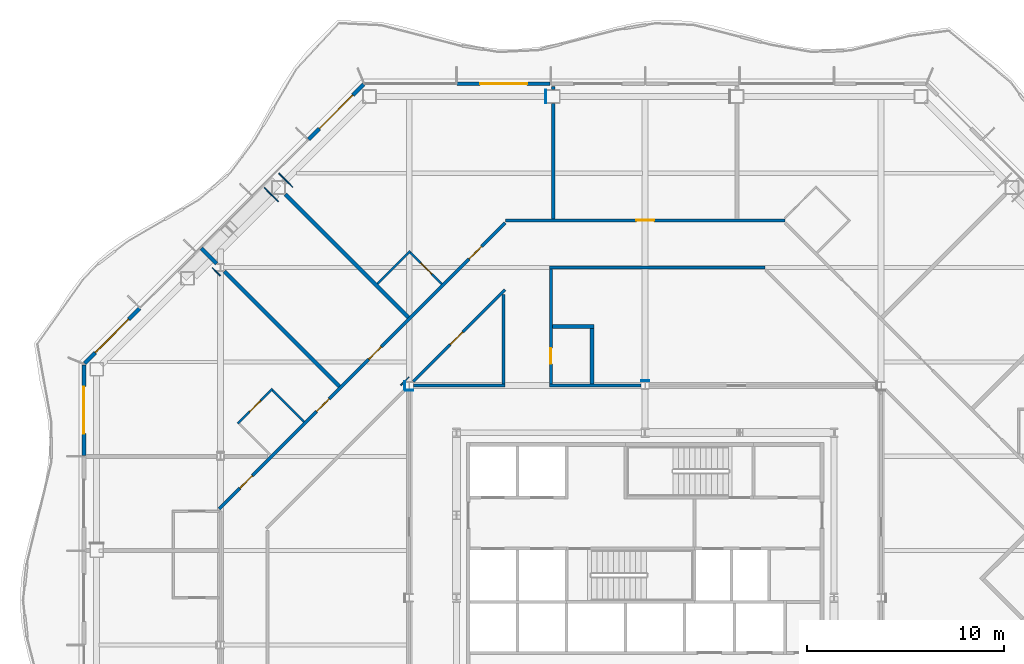
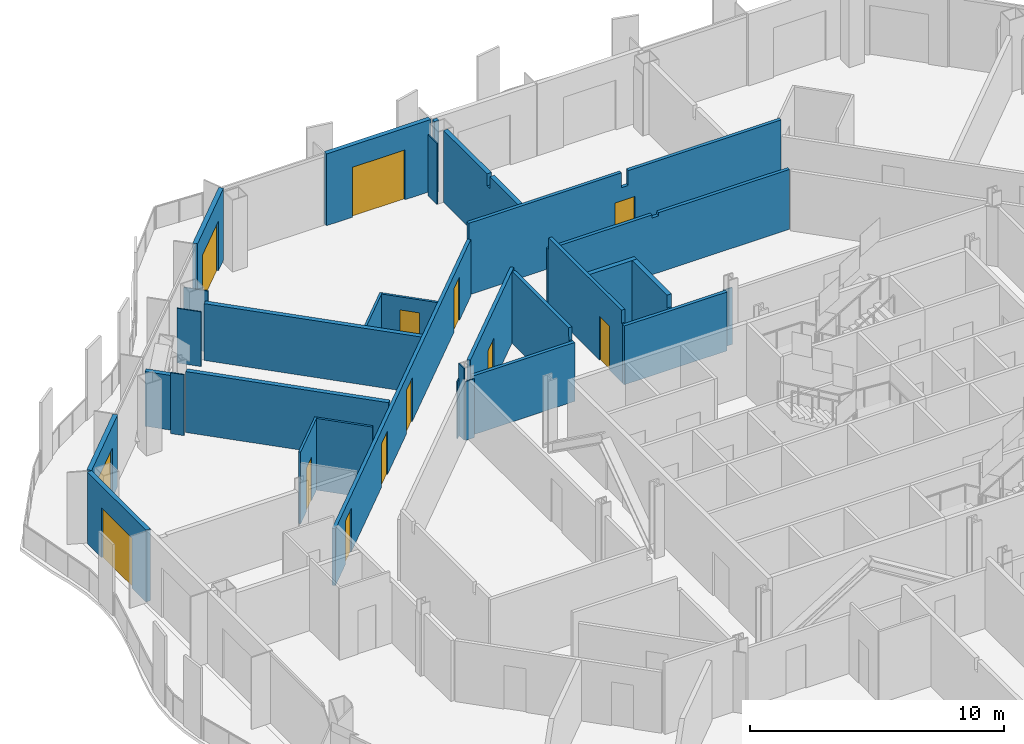
# One storey, part 12 of 21: 31 walls, 13 doors, 13 openings.
"""IFC4 building model written with IfcOpenShell, lengths in metres."""

from ifc_helpers import new_model, si_unit, direction, frame, frame_2d, origin, place, context, subcontext, project, spatial, polyline, rectangle, outline, extrude, material, layer, layer_set, type_object, element, fill, save


model = new_model("IFC4")

# Units and contexts
model_context = context("Model", 3, precision=1e-05, world=origin(), true_north=direction((0.0, 1.0)))
body_context = subcontext(model_context, "Body", "Model", "MODEL_VIEW")
ifc_project = project(units=[si_unit("LENGTHUNIT", "METRE"), si_unit("AREAUNIT", "SQUARE_METRE"), si_unit("VOLUMEUNIT", "CUBIC_METRE"), si_unit("PLANEANGLEUNIT", "RADIAN"), si_unit("MASSUNIT", "GRAM", prefix="KILO")], contexts=[model_context])

# Site, building, storey
site_placement = place(None, origin())
site = spatial("IfcSite", under=ifc_project, at=site_placement, CompositionType="ELEMENT")
building_placement = place(site_placement, origin())
building = spatial("IfcBuilding", under=site, at=building_placement, Name="Cairn Pilgrim Tower", CompositionType="ELEMENT")
storey_placement = place(building_placement, frame((0.0, 0.0, 129.0)))
storey = spatial("IfcBuildingStorey", under=building, at=storey_placement, Name="L31", CompositionType="ELEMENT", Elevation=129.0)

# Wall, opening, door
ifc_material_1 = material(Name="Bronze anodised aluminium insulated sandwich panel with mineral wool fill", Category="aluminium")
ifc_layer_1 = layer(ifc_material_1, 0.199951171875)
ifc_layer_set_1 = layer_set([ifc_layer_1], Name="BRONZE INFILL FRAME WALL 200")
wall_type_1 = type_object("IfcWallType", Name="BRONZE INFILL FRAME WALL 200", PredefinedType="NOTDEFINED", material=ifc_layer_set_1)
wall_1_placement = place(storey_placement, frame((2.3701171875, 28.550048828125, 0.0), z_axis=(0.0, 0.0, 1.0), x_axis=(-1.0, 0.0, 0.0)))
wall_1 = element("IfcWall", 1, at=wall_1_placement, inside=storey, type_object=wall_type_1, Name="Bronze infill frame wall IW-N5", PredefinedType="NOTDEFINED", context=body_context, shape_type="SweptSolid", body=[
    extrude(rectangle(XDim=4.740234375, YDim=0.199951171875, at=frame_2d((2.3701171875, 0.0))), origin(), (0.0, 0.0, 1.0), 3.449951171875),
])
opening_1_placement = place(wall_1_placement, frame((1.169677734375, 0.0, 0.0)))
opening_1 = element("IfcOpeningElement", 2, at=opening_1_placement, cuts=wall_1, Name="Opening 3110B", PredefinedType="OPENING", context=body_context, shape_type="SweptSolid", body=[
    extrude(rectangle(XDim=2.39990234375, YDim=2.39990234375, at=frame_2d((1.199951171875, 1.199951171875))), frame((0.0, 0.10986328125, 0.0), z_axis=(0.0, -1.0, 0.0), x_axis=(1.0, 0.0, 0.0)), (0.0, 0.0, 1.0), 0.219970703125),
])
ifc_material_2 = material(Name="Bronze anodised aluminium frame with tinted low-E glass", Category="aluminium")
door_type_1 = type_object("IfcDoorType", Name="BALCONY SLIDING DOOR 2400x2400", OperationType="DOUBLE_DOOR_SLIDING", PredefinedType="DOOR", material=ifc_material_2)
door_1_placement = place(opening_1_placement, origin())
door_1 = element("IfcDoor", 3, at=door_1_placement, inside=storey, type_object=door_type_1, Name="Balcony sliding door 3110B", OperationType="SINGLE_SWING_LEFT", OverallHeight=2.39990234375, OverallWidth=2.39990234375, PredefinedType="DOOR", context=body_context, shape_type="SweptSolid", body=[
    extrude(rectangle(XDim=2.39990234375, YDim=2.39990234375, at=frame_2d((1.199951171875, 1.199951171875))), frame((0.0, 0.02490234375, 0.0), z_axis=(0.0, -1.0, 0.0), x_axis=(1.0, 0.0, 0.0)), (0.0, 0.0, 1.0), 0.050048828125),
])
fill(opening_1, door_1)

wall_2_placement = place(storey_placement, frame((-7.124755859375, 28.521728515625, 0.0), z_axis=(0.0, 0.0, 1.0), x_axis=(-0.707106781187, -0.707106781187, 0.0)))
wall_2 = element("IfcWall", 4, at=wall_2_placement, inside=storey, type_object=wall_type_1, Name="Bronze infill frame wall IW-NW1", PredefinedType="NOTDEFINED", context=body_context, shape_type="SweptSolid", body=[
    extrude(rectangle(XDim=3.961669921875, YDim=0.199951171875, at=frame_2d((1.98095703125, 0.0))), origin(), (0.0, 0.0, 1.0), 3.449951171875),
])
opening_2_placement = place(wall_2_placement, frame((0.775390625, 0.0, 0.0)))
opening_2 = element("IfcOpeningElement", 5, at=opening_2_placement, cuts=wall_2, Name="Opening 3110B2", PredefinedType="OPENING", context=body_context, shape_type="SweptSolid", body=[
    extrude(rectangle(XDim=2.39990234375, YDim=2.39990234375, at=frame_2d((1.199951171875, 1.199951171875))), frame((0.0, 0.10986328125, 0.0), z_axis=(0.0, -1.0, 0.0), x_axis=(1.0, 0.0, 0.0)), (0.0, 0.0, 1.0), 0.219970703125),
])
door_2_placement = place(opening_2_placement, origin())
door_2 = element("IfcDoor", 6, at=door_2_placement, inside=storey, type_object=door_type_1, Name="Balcony sliding door 3110B2", OperationType="SINGLE_SWING_LEFT", OverallHeight=2.39990234375, OverallWidth=2.39990234375, PredefinedType="DOOR", context=body_context, shape_type="SweptSolid", body=[
    extrude(rectangle(XDim=2.39990234375, YDim=2.39990234375, at=frame_2d((1.199951171875, 1.199951171875))), frame((0.0, 0.02490234375, 0.0), z_axis=(0.0, -1.0, 0.0), x_axis=(1.0, 0.0, 0.0)), (0.0, 0.0, 1.0), 0.050048828125),
])
fill(opening_2, door_2)

wall_3_placement = place(storey_placement, frame((-18.5205078125, 17.1259765625, 0.0), z_axis=(0.0, 0.0, 1.0), x_axis=(-0.707106781187, -0.707106781187, 0.0)))
wall_3 = element("IfcWall", 7, at=wall_3_placement, inside=storey, type_object=wall_type_1, Name="Bronze infill frame wall IW-NW5", PredefinedType="NOTDEFINED", context=body_context, shape_type="SweptSolid", body=[
    extrude(rectangle(XDim=3.961669921875, YDim=0.199951171875, at=frame_2d((1.98095703125, 0.0))), origin(), (0.0, 0.0, 1.0), 3.449951171875),
])
opening_3_placement = place(wall_3_placement, frame((0.785888671875, 0.0, 0.0)))
opening_3 = element("IfcOpeningElement", 8, at=opening_3_placement, cuts=wall_3, Name="Opening 3112B2", PredefinedType="OPENING", context=body_context, shape_type="SweptSolid", body=[
    extrude(rectangle(XDim=2.39990234375, YDim=2.39990234375, at=frame_2d((1.199951171875, 1.199951171875))), frame((0.0, 0.10986328125, 0.0), z_axis=(0.0, -1.0, 0.0), x_axis=(1.0, 0.0, 0.0)), (0.0, 0.0, 1.0), 0.219970703125),
])
door_3_placement = place(opening_3_placement, origin())
door_3 = element("IfcDoor", 9, at=door_3_placement, inside=storey, type_object=door_type_1, Name="Balcony sliding door 3112B2", OperationType="SINGLE_SWING_LEFT", OverallHeight=2.39990234375, OverallWidth=2.39990234375, PredefinedType="DOOR", context=body_context, shape_type="SweptSolid", body=[
    extrude(rectangle(XDim=2.39990234375, YDim=2.39990234375, at=frame_2d((1.199951171875, 1.199951171875))), frame((0.0, 0.02490234375, 0.0), z_axis=(0.0, -1.0, 0.0), x_axis=(1.0, 0.0, 0.0)), (0.0, 0.0, 1.0), 0.050048828125),
])
fill(opening_3, door_3)

wall_4_placement = place(storey_placement, frame((-21.35009765625, 14.25634765625, 0.0), z_axis=(0.0, 0.0, 1.0), x_axis=(0.0, -1.0, 0.0)))
wall_4 = element("IfcWall", 10, at=wall_4_placement, inside=storey, type_object=wall_type_1, Name="Bronze infill frame wall IW-W1", PredefinedType="NOTDEFINED", context=body_context, shape_type="SweptSolid", body=[
    extrude(rectangle(XDim=4.62646484375, YDim=0.199951171875, at=frame_2d((2.313232421875, 0.0))), origin(), (0.0, 0.0, 1.0), 3.449951171875),
])
opening_4_placement = place(wall_4_placement, frame((1.1083984375, 0.0, 0.0)))
opening_4 = element("IfcOpeningElement", 11, at=opening_4_placement, cuts=wall_4, Name="Opening 3112B", PredefinedType="OPENING", context=body_context, shape_type="SweptSolid", body=[
    extrude(rectangle(XDim=2.39990234375, YDim=2.39990234375, at=frame_2d((1.199951171875, 1.199951171875))), frame((0.0, 0.10986328125, 0.0), z_axis=(0.0, -1.0, 0.0), x_axis=(1.0, 0.0, 0.0)), (0.0, 0.0, 1.0), 0.219970703125),
])
door_4_placement = place(opening_4_placement, origin())
door_4 = element("IfcDoor", 12, at=door_4_placement, inside=storey, type_object=door_type_1, Name="Balcony sliding door 3112B", OperationType="SINGLE_SWING_LEFT", OverallHeight=2.39990234375, OverallWidth=2.39990234375, PredefinedType="DOOR", context=body_context, shape_type="SweptSolid", body=[
    extrude(rectangle(XDim=2.39990234375, YDim=2.39990234375, at=frame_2d((1.199951171875, 1.199951171875))), frame((0.0, 0.02490234375, 0.0), z_axis=(0.0, -1.0, 0.0), x_axis=(1.0, 0.0, 0.0)), (0.0, 0.0, 1.0), 0.050048828125),
])
fill(opening_4, door_4)

ifc_material_3 = material(Name="Gypsum partition")
ifc_layer_2 = layer(ifc_material_3, 0.10009765625)
ifc_layer_set_2 = layer_set([ifc_layer_2], Name="PARTITION 100 DRYWALL")
wall_type_2 = type_object("IfcWallType", Name="PARTITION 100 DRYWALL", PredefinedType="PARTITIONING", material=ifc_layer_set_2)
wall_5_placement = place(storey_placement, frame((-13.5263671875, 11.26171875, 0.0), z_axis=(0.0, 0.0, 1.0), x_axis=(0.707106781187, 0.707106781187, 0.0)))
wall_5 = element("IfcWall", 13, at=wall_5_placement, inside=storey, type_object=wall_type_2, Name="PARTITION W069", PredefinedType="PARTITIONING", context=body_context, shape_type="SweptSolid", body=[
    extrude(rectangle(XDim=2.499755859375, YDim=0.10009765625, at=frame_2d((1.25, 0.0))), origin(), (0.0, 0.0, 1.0), 3.449951171875),
])
opening_5_placement = place(wall_5_placement, frame((0.849853515625, 0.0, 0.0)))
opening_5 = element("IfcOpeningElement", 14, at=opening_5_placement, cuts=wall_5, Name="Opening 3112A", PredefinedType="OPENING", context=body_context, shape_type="SweptSolid", body=[
    extrude(rectangle(XDim=0.800048828125, YDim=2.10009765625, at=frame_2d((0.39990234375, 1.050048828125))), frame((0.0, 0.06005859375, 0.0), z_axis=(0.0, -1.0, 0.0), x_axis=(1.0, 0.0, 0.0)), (0.0, 0.0, 1.0), 0.1201171875),
])
ifc_material_4 = material(Name="Timber door leaf", Category="wood")
door_type_2 = type_object("IfcDoorType", Name="WC DOOR 800x2100", OperationType="NOTDEFINED", PredefinedType="DOOR", material=ifc_material_4)
door_5_placement = place(opening_5_placement, origin())
door_5 = element("IfcDoor", 15, at=door_5_placement, inside=storey, type_object=door_type_2, Name="DOOR 3112A", OperationType="SINGLE_SWING_RIGHT", OverallHeight=2.10009765625, OverallWidth=0.800048828125, PredefinedType="DOOR", context=body_context, shape_type="SweptSolid", body=[
    extrude(rectangle(XDim=0.800048828125, YDim=2.10009765625, at=frame_2d((0.39990234375, 1.050048828125))), frame((0.0, 0.02490234375, 0.0), z_axis=(0.0, -1.0, 0.0), x_axis=(1.0, 0.0, 0.0)), (0.0, 0.0, 1.0), 0.050048828125),
])
fill(opening_5, door_5)

# Walls
wall_6_placement = place(storey_placement, frame((-10.14990234375, 11.35009765625, 0.0), z_axis=(0.0, 0.0, 1.0), x_axis=(-0.707160441348, 0.707053116953, 0.0)))
element("IfcWall", 16, at=wall_6_placement, inside=storey, type_object=wall_type_2, Name="PARTITION W070", PredefinedType="PARTITIONING", context=body_context, shape_type="SweptSolid", body=[
    extrude(rectangle(XDim=2.27490234375, YDim=0.10009765625, at=frame_2d((1.137451171875, 0.0))), origin(), (0.0, 0.0, 1.0), 3.449951171875),
])
wall_7_placement = place(storey_placement, frame((-6.411376953125, 18.376708984375, 0.0), z_axis=(0.0, 0.0, 1.0), x_axis=(0.707106781187, 0.707106781187, 0.0)))
element("IfcWall", 17, at=wall_7_placement, inside=storey, type_object=wall_type_2, Name="PARTITION W085", PredefinedType="PARTITIONING", context=body_context, shape_type="SweptSolid", body=[
    extrude(rectangle(XDim=2.349853515625, YDim=0.10009765625, at=frame_2d((1.1748046875, 0.0))), origin(), (0.0, 0.0, 1.0), 2.72998046875),
])

# Wall, opening, door
wall_8_placement = place(storey_placement, frame((-3.14111328125, 18.35888671875, 0.0), z_axis=(0.0, 0.0, 1.0), x_axis=(-0.707053116953, 0.707160441348, 0.0)))
wall_8 = element("IfcWall", 18, at=wall_8_placement, inside=storey, type_object=wall_type_2, Name="PARTITION W086", PredefinedType="PARTITIONING", context=body_context, shape_type="SweptSolid", body=[
    extrude(rectangle(XDim=2.27490234375, YDim=0.10009765625, at=frame_2d((1.137451171875, 0.0))), origin(), (0.0, 0.0, 1.0), 2.72998046875),
])
opening_6_placement = place(wall_8_placement, frame((0.72509765625, 0.0, 0.0)))
opening_6 = element("IfcOpeningElement", 19, at=opening_6_placement, cuts=wall_8, Name="Opening 3110A", PredefinedType="OPENING", context=body_context, shape_type="SweptSolid", body=[
    extrude(rectangle(XDim=0.800048828125, YDim=2.10009765625, at=frame_2d((0.39990234375, 1.050048828125))), frame((0.0, 0.06005859375, 0.0), z_axis=(0.0, -1.0, 0.0), x_axis=(1.0, 0.0, 0.0)), (0.0, 0.0, 1.0), 0.1201171875),
])
door_6_placement = place(opening_6_placement, frame((0.800048828125, 0.0, 0.0), z_axis=(0.0, 0.0, 1.0), x_axis=(-1.0, 0.0, 0.0)))
door_6 = element("IfcDoor", 20, at=door_6_placement, inside=storey, type_object=door_type_2, Name="DOOR 3110A", OperationType="SINGLE_SWING_RIGHT", OverallHeight=2.10009765625, OverallWidth=0.800048828125, PredefinedType="DOOR", context=body_context, shape_type="SweptSolid", body=[
    extrude(rectangle(XDim=0.800048828125, YDim=2.10009765625, at=frame_2d((0.39990234375, 1.050048828125))), frame((0.0, 0.02490234375, 0.0), z_axis=(0.0, -1.0, 0.0), x_axis=(1.0, 0.0, 0.0)), (0.0, 0.0, 1.0), 0.050048828125),
])
fill(opening_6, door_6)

# Wall, openings, doors
ifc_layer_3 = layer(ifc_material_3, 0.14990234375)
ifc_layer_set_3 = layer_set([ifc_layer_3], Name="PARTITION 150 DRYWALL EI 60")
wall_type_3 = type_object("IfcWallType", Name="PARTITION 150 DRYWALL EI 60", PredefinedType="PARTITIONING", material=ifc_layer_set_3)
wall_9_placement = place(storey_placement, frame((-14.47509765625, 6.9189453125, 0.0), z_axis=(0.0, 0.0, 1.0), x_axis=(0.707106781187, 0.707106781187, 0.0)))
wall_9 = element("IfcWall", 21, at=wall_9_placement, inside=storey, type_object=wall_type_3, Name="PARTITION W061", PredefinedType="PARTITIONING", context=body_context, shape_type="SweptSolid", body=[
    extrude(rectangle(XDim=20.5810546875, YDim=0.14990234375, at=frame_2d((10.29052734375, 0.0))), origin(), (0.0, 0.0, 1.0), 2.72998046875),
])
opening_7_placement = place(wall_9_placement, frame((17.982666015625, 0.0, 0.0)))
opening_7 = element("IfcOpeningElement", 22, at=opening_7_placement, cuts=wall_9, Name="Opening 3110", PredefinedType="OPENING", context=body_context, shape_type="SweptSolid", body=[
    extrude(rectangle(XDim=0.89990234375, YDim=2.10009765625, at=frame_2d((0.449951171875, 1.050048828125))), frame((0.0, 0.0849609375, 0.0), z_axis=(0.0, -1.0, 0.0), x_axis=(1.0, 0.0, 0.0)), (0.0, 0.0, 1.0), 0.169921875),
])
opening_8_placement = place(wall_9_placement, frame((10.77001953125, 0.0, 0.0)))
opening_8 = element("IfcOpeningElement", 23, at=opening_8_placement, cuts=wall_9, Name="Opening 3111", PredefinedType="OPENING", context=body_context, shape_type="SweptSolid", body=[
    extrude(rectangle(XDim=0.89990234375, YDim=2.10009765625, at=frame_2d((0.449951171875, 1.050048828125))), frame((0.0, 0.0849609375, 0.0), z_axis=(0.0, -1.0, 0.0), x_axis=(1.0, 0.0, 0.0)), (0.0, 0.0, 1.0), 0.169921875),
])
opening_9_placement = place(wall_9_placement, frame((7.014404296875, 0.0, 0.0)))
opening_9 = element("IfcOpeningElement", 24, at=opening_9_placement, cuts=wall_9, Name="Opening 3112", PredefinedType="OPENING", context=body_context, shape_type="SweptSolid", body=[
    extrude(rectangle(XDim=0.89990234375, YDim=2.10009765625, at=frame_2d((0.449951171875, 1.050048828125))), frame((0.0, 0.0849609375, 0.0), z_axis=(0.0, -1.0, 0.0), x_axis=(1.0, 0.0, 0.0)), (0.0, 0.0, 1.0), 0.169921875),
])
opening_10_placement = place(wall_9_placement, frame((1.4990234375, 0.0, 0.0)))
opening_10 = element("IfcOpeningElement", 25, at=opening_10_placement, cuts=wall_9, Name="Opening 3113", PredefinedType="OPENING", context=body_context, shape_type="SweptSolid", body=[
    extrude(rectangle(XDim=0.89990234375, YDim=2.10009765625, at=frame_2d((0.449951171875, 1.050048828125))), frame((0.0, 0.0849609375, 0.0), z_axis=(0.0, -1.0, 0.0), x_axis=(1.0, 0.0, 0.0)), (0.0, 0.0, 1.0), 0.169921875),
])
door_type_3 = type_object("IfcDoorType", Name="ROOM DOOR 900x2100 FD30S", OperationType="NOTDEFINED", PredefinedType="DOOR", material=ifc_material_4)
door_7_placement = place(opening_7_placement, origin())
door_7 = element("IfcDoor", 26, at=door_7_placement, inside=storey, type_object=door_type_3, Name="DOOR 3110", OperationType="SINGLE_SWING_RIGHT", OverallHeight=2.10009765625, OverallWidth=0.89990234375, PredefinedType="DOOR", context=body_context, shape_type="SweptSolid", body=[
    extrude(rectangle(XDim=0.89990234375, YDim=2.10009765625, at=frame_2d((0.449951171875, 1.050048828125))), frame((0.0, 0.02490234375, 0.0), z_axis=(0.0, -1.0, 0.0), x_axis=(1.0, 0.0, 0.0)), (0.0, 0.0, 1.0), 0.050048828125),
])
fill(opening_7, door_7)
door_8_placement = place(opening_9_placement, origin())
door_8 = element("IfcDoor", 27, at=door_8_placement, inside=storey, type_object=door_type_3, Name="DOOR 3112", OperationType="SINGLE_SWING_RIGHT", OverallHeight=2.10009765625, OverallWidth=0.89990234375, PredefinedType="DOOR", context=body_context, shape_type="SweptSolid", body=[
    extrude(rectangle(XDim=0.89990234375, YDim=2.10009765625, at=frame_2d((0.449951171875, 1.050048828125))), frame((0.0, 0.02490234375, 0.0), z_axis=(0.0, -1.0, 0.0), x_axis=(1.0, 0.0, 0.0)), (0.0, 0.0, 1.0), 0.050048828125),
])
fill(opening_9, door_8)
door_9_placement = place(opening_10_placement, origin())
door_9 = element("IfcDoor", 28, at=door_9_placement, inside=storey, type_object=door_type_3, Name="DOOR 3113", OperationType="SINGLE_SWING_RIGHT", OverallHeight=2.10009765625, OverallWidth=0.89990234375, PredefinedType="DOOR", context=body_context, shape_type="SweptSolid", body=[
    extrude(rectangle(XDim=0.89990234375, YDim=2.10009765625, at=frame_2d((0.449951171875, 1.050048828125))), frame((0.0, 0.02490234375, 0.0), z_axis=(0.0, -1.0, 0.0), x_axis=(1.0, 0.0, 0.0)), (0.0, 0.0, 1.0), 0.050048828125),
])
fill(opening_10, door_9)
door_type_4 = type_object("IfcDoorType", Name="SERVICE DOOR 900x2100 FD30S", OperationType="NOTDEFINED", PredefinedType="DOOR", material=ifc_material_4)
door_10_placement = place(opening_8_placement, origin())
door_10 = element("IfcDoor", 29, at=door_10_placement, inside=storey, type_object=door_type_4, Name="DOOR 3111", OperationType="SINGLE_SWING_RIGHT", OverallHeight=2.10009765625, OverallWidth=0.89990234375, PredefinedType="DOOR", context=body_context, shape_type="SweptSolid", body=[
    extrude(rectangle(XDim=0.89990234375, YDim=2.10009765625, at=frame_2d((0.449951171875, 1.050048828125))), frame((0.0, 0.02490234375, 0.0), z_axis=(0.0, -1.0, 0.0), x_axis=(1.0, 0.0, 0.0)), (0.0, 0.0, 1.0), 0.050048828125),
])
fill(opening_8, door_10)

# Walls
wall_10_placement = place(storey_placement, frame((-4.595458984375, 13.199951171875, 0.0), z_axis=(0.0, 0.0, 1.0), x_axis=(1.0, 0.0, 0.0)))
element("IfcWall", 30, at=wall_10_placement, inside=storey, type_object=wall_type_3, Name="PARTITION W074", PredefinedType="PARTITIONING", context=body_context, shape_type="SweptSolid", body=[
    extrude(rectangle(XDim=4.67041015625, YDim=0.14990234375, at=frame_2d((2.335205078125, 0.0))), origin(), (0.0, 0.0, 1.0), 2.830078125),
])
wall_11_placement = place(storey_placement, frame((2.324951171875, 13.199951171875, 0.0), z_axis=(0.0, 0.0, 1.0), x_axis=(1.0, 0.0, 0.0)))
element("IfcWall", 31, at=wall_11_placement, inside=storey, type_object=wall_type_3, Name="PARTITION W075", PredefinedType="PARTITIONING", context=body_context, shape_type="SweptSolid", body=[
    extrude(rectangle(XDim=4.670654296875, YDim=0.14990234375, at=frame_2d((2.33544921875, 0.0))), origin(), (0.0, 0.0, 1.0), 2.830078125),
])
wall_12_placement = place(storey_placement, frame((0.0, 13.27490234375, 0.0), z_axis=(0.0, 0.0, 1.0), x_axis=(0.0, 1.0, 0.0)))
element("IfcWall", 32, at=wall_12_placement, inside=storey, type_object=wall_type_3, Name="PARTITION W077", PredefinedType="PARTITIONING", context=body_context, shape_type="SweptSolid", body=[
    extrude(outline(polyline([(0.0, 0.0), (4.5439453125, 0.0), (4.5439453125, 3.449951171875), (0.074951171875, 3.449951171875), (0.072998046875, 2.830078125), (0.0, 2.830078125), (0.0, 0.0)])), frame((0.0, 0.074951171875, 0.0), z_axis=(0.0, -1.0, 0.0), x_axis=(1.0, 0.0, 0.0)), (0.0, 0.0, 1.0), 0.14990234375),
])

# Wall, opening, door
wall_13_placement = place(storey_placement, frame((2.39990234375, 13.27490234375, 0.0), z_axis=(0.0, 0.0, 1.0), x_axis=(0.0, 1.0, 0.0)))
wall_13 = element("IfcWall", 33, at=wall_13_placement, inside=storey, type_object=wall_type_3, Name="PARTITION W078", PredefinedType="PARTITIONING", context=body_context, shape_type="SweptSolid", body=[
    extrude(outline(polyline([(0.0, 0.0), (5.85009765625, 0.0), (5.85009765625, 2.8798828125), (5.820068359375, 2.8798828125), (5.818115234375, 3.449951171875), (0.074951171875, 3.449951171875), (0.072998046875, 2.830078125), (0.0, 2.830078125), (0.0, 0.0)])), frame((0.0, 0.074951171875, 0.0), z_axis=(0.0, -1.0, 0.0), x_axis=(1.0, 0.0, 0.0)), (0.0, 0.0, 1.0), 0.14990234375),
])
opening_11_placement = place(wall_13_placement, frame((1.02490234375, 0.0, 0.0)))
opening_11 = element("IfcOpeningElement", 34, at=opening_11_placement, cuts=wall_13, Name="Opening 3119", PredefinedType="OPENING", context=body_context, shape_type="SweptSolid", body=[
    extrude(rectangle(XDim=0.800048828125, YDim=2.10009765625, at=frame_2d((0.39990234375, 1.050048828125))), frame((0.0, 0.0849609375, 0.0), z_axis=(0.0, -1.0, 0.0), x_axis=(1.0, 0.0, 0.0)), (0.0, 0.0, 1.0), 0.169921875),
])
door_type_5 = type_object("IfcDoorType", Name="WC DOOR 800x2100 FD30S", OperationType="NOTDEFINED", PredefinedType="DOOR", material=ifc_material_4)
door_11_placement = place(opening_11_placement, frame((0.800048828125, 0.0, 0.0), z_axis=(0.0, 0.0, 1.0), x_axis=(-1.0, 0.0, 0.0)))
door_11 = element("IfcDoor", 35, at=door_11_placement, inside=storey, type_object=door_type_5, Name="DOOR 3119", OperationType="SINGLE_SWING_RIGHT", OverallHeight=2.10009765625, OverallWidth=0.800048828125, PredefinedType="DOOR", context=body_context, shape_type="SweptSolid", body=[
    extrude(rectangle(XDim=0.800048828125, YDim=2.10009765625, at=frame_2d((0.39990234375, 1.050048828125))), frame((0.0, 0.02490234375, 0.0), z_axis=(0.0, -1.0, 0.0), x_axis=(1.0, 0.0, 0.0)), (0.0, 0.0, 1.0), 0.050048828125),
])
fill(opening_11, door_11)

wall_14_placement = place(storey_placement, frame((-4.591552734375, 13.408447265625, 0.0), z_axis=(0.0, 0.0, 1.0), x_axis=(0.707106781187, 0.707106781187, 0.0)))
wall_14 = element("IfcWall", 36, at=wall_14_placement, inside=storey, type_object=wall_type_3, Name="PARTITION W080", PredefinedType="PARTITIONING", context=body_context, shape_type="SweptSolid", body=[
    extrude(rectangle(XDim=6.599365234375, YDim=0.14990234375, at=frame_2d((3.2998046875, 0.0))), origin(), (0.0, 0.0, 1.0), 3.449951171875),
])
opening_12_placement = place(wall_14_placement, frame((2.6494140625, 0.0, 0.0)))
opening_12 = element("IfcOpeningElement", 37, at=opening_12_placement, cuts=wall_14, Name="Opening 3123", PredefinedType="OPENING", context=body_context, shape_type="SweptSolid", body=[
    extrude(rectangle(XDim=0.89990234375, YDim=2.10009765625, at=frame_2d((0.449951171875, 1.050048828125))), frame((0.0, 0.0849609375, 0.0), z_axis=(0.0, -1.0, 0.0), x_axis=(1.0, 0.0, 0.0)), (0.0, 0.0, 1.0), 0.169921875),
])
door_12_placement = place(opening_12_placement, frame((0.89990234375, 0.0, 0.0), z_axis=(0.0, 0.0, 1.0), x_axis=(-1.0, 0.0, 0.0)))
door_12 = element("IfcDoor", 38, at=door_12_placement, inside=storey, type_object=door_type_4, Name="DOOR 3123", OperationType="SINGLE_SWING_LEFT", OverallHeight=2.10009765625, OverallWidth=0.89990234375, PredefinedType="DOOR", context=body_context, shape_type="SweptSolid", body=[
    extrude(rectangle(XDim=0.89990234375, YDim=2.10009765625, at=frame_2d((0.449951171875, 1.050048828125))), frame((0.0, 0.02490234375, 0.0), z_axis=(0.0, -1.0, 0.0), x_axis=(1.0, 0.0, 0.0)), (0.0, 0.0, 1.0), 0.050048828125),
])
fill(opening_12, door_12)

# Wall
wall_15_placement = place(storey_placement, frame((2.324951171875, 19.199951171875, 0.0), z_axis=(0.0, 0.0, 1.0), x_axis=(1.0, 0.0, 0.0)))
element("IfcWall", 39, at=wall_15_placement, inside=storey, type_object=wall_type_3, Name="PARTITION W087", PredefinedType="PARTITIONING", context=body_context, shape_type="SweptSolid", body=[
    extrude(outline(polyline([(0.0, 0.0), (10.981201171875, 0.0), (10.981201171875, 2.8798828125), (5.02490234375, 2.8798828125), (5.02294921875, 2.72998046875), (4.72509765625, 2.72998046875), (4.722900390625, 2.8798828125), (0.0, 2.8798828125), (0.0, 0.0)])), frame((0.0, 0.074951171875, 0.0), z_axis=(0.0, -1.0, 0.0), x_axis=(1.0, 0.0, 0.0)), (0.0, 0.0, 1.0), 0.14990234375),
])

# Wall, opening, door
wall_16_placement = place(storey_placement, frame((0.099853515625, 21.60009765625, 0.0), z_axis=(0.0, 0.0, 1.0), x_axis=(1.0, 0.0, 0.0)))
wall_16 = element("IfcWall", 40, at=wall_16_placement, inside=storey, type_object=wall_type_3, Name="PARTITION W090", PredefinedType="PARTITIONING", context=body_context, shape_type="SweptSolid", body=[
    extrude(outline(polyline([(0.0, 0.0), (14.2001953125, 0.0), (14.2001953125, 3.449951171875), (7.25, 3.449951171875), (7.248046875, 2.72998046875), (6.9501953125, 2.72998046875), (6.947998046875, 3.449951171875), (0.0, 3.449951171875), (0.0, 0.0)])), frame((0.0, 0.074951171875, 0.0), z_axis=(0.0, -1.0, 0.0), x_axis=(1.0, 0.0, 0.0)), (0.0, 0.0, 1.0), 0.14990234375),
])
opening_13_placement = place(wall_16_placement, frame((6.650146484375, 0.0, 0.0)))
opening_13 = element("IfcOpeningElement", 41, at=opening_13_placement, cuts=wall_16, Name="Opening 3109", PredefinedType="OPENING", context=body_context, shape_type="SweptSolid", body=[
    extrude(rectangle(XDim=0.89990234375, YDim=2.10009765625, at=frame_2d((0.449951171875, 1.050048828125))), frame((0.0, 0.0849609375, 0.0), z_axis=(0.0, -1.0, 0.0), x_axis=(1.0, 0.0, 0.0)), (0.0, 0.0, 1.0), 0.169921875),
])
door_13_placement = place(opening_13_placement, origin())
door_13 = element("IfcDoor", 42, at=door_13_placement, inside=storey, type_object=door_type_4, Name="DOOR 3109", OperationType="SINGLE_SWING_LEFT", OverallHeight=2.10009765625, OverallWidth=0.89990234375, PredefinedType="DOOR", context=body_context, shape_type="SweptSolid", body=[
    extrude(rectangle(XDim=0.89990234375, YDim=2.10009765625, at=frame_2d((0.449951171875, 1.050048828125))), frame((0.0, 0.02490234375, 0.0), z_axis=(0.0, -1.0, 0.0), x_axis=(1.0, 0.0, 0.0)), (0.0, 0.0, 1.0), 0.050048828125),
])
fill(opening_13, door_13)

# Walls
ifc_layer_4 = layer(ifc_material_3, 0.050048828125)
ifc_layer_set_4 = layer_set([ifc_layer_4], Name="PARTITION 50 DRYWALL EI 60")
wall_type_4 = type_object("IfcWallType", Name="PARTITION 50 DRYWALL EI 60", PredefinedType="PARTITIONING", material=ifc_layer_set_4)
wall_17_placement = place(storey_placement, frame((-5.029541015625, 12.987548828125, 0.0), z_axis=(0.0, 0.0, 1.0), x_axis=(0.0, 1.0, 0.0)))
element("IfcWall", 43, at=wall_17_placement, inside=storey, type_object=wall_type_4, Name="COLUMN CASING WC20", PredefinedType="PARTITIONING", context=body_context, shape_type="SweptSolid", body=[
    extrude(rectangle(XDim=0.425048828125, YDim=0.050048828125, at=frame_2d((0.21240234375, 0.0))), origin(), (0.0, 0.0, 1.0), 3.449951171875),
])
wall_18_placement = place(storey_placement, frame((-5.234619140625, 13.2177734375, 0.0), z_axis=(0.0, 0.0, 1.0), x_axis=(0.707106781187, 0.707106781187, 0.0)))
element("IfcWall", 44, at=wall_18_placement, inside=storey, type_object=wall_type_4, Name="COLUMN CASING WC27", PredefinedType="PARTITIONING", context=body_context, shape_type="SweptSolid", body=[
    extrude(rectangle(XDim=0.589599609375, YDim=0.050048828125, at=frame_2d((0.294921875, 0.0))), origin(), (0.0, 0.0, 1.0), 2.72998046875),
])
wall_19_placement = place(storey_placement, frame((-14.417724609375, 18.786376953125, 0.0), z_axis=(0.0, 0.0, 1.0), x_axis=(-0.707106781187, 0.707106781187, 0.0)))
element("IfcWall", 45, at=wall_19_placement, inside=storey, type_object=wall_type_4, Name="COLUMN CASING WC32", PredefinedType="PARTITIONING", context=body_context, shape_type="SweptSolid", body=[
    extrude(rectangle(XDim=0.56005859375, YDim=0.050048828125, at=frame_2d((0.280029296875, 0.0))), origin(), (0.0, 0.0, 1.0), 2.929931640625),
])
wall_20_placement = place(storey_placement, frame((-5.00439453125, 12.96240234375, 0.0), z_axis=(0.0, 0.0, 1.0), x_axis=(1.0, 0.0, 0.0)))
element("IfcWall", 46, at=wall_20_placement, inside=storey, type_object=wall_type_4, Name="COLUMN CASING WC33", PredefinedType="PARTITIONING", context=body_context, shape_type="SweptSolid", body=[
    extrude(rectangle(XDim=0.408935546875, YDim=0.050048828125, at=frame_2d((0.20458984375, 0.0))), origin(), (0.0, 0.0, 1.0), 2.830078125),
])
wall_21_placement = place(storey_placement, frame((6.99560546875, 13.4375, 0.0), z_axis=(0.0, 0.0, 1.0), x_axis=(1.0, 0.0, 0.0)))
element("IfcWall", 47, at=wall_21_placement, inside=storey, type_object=wall_type_4, Name="COLUMN CASING WC34", PredefinedType="PARTITIONING", context=body_context, shape_type="SweptSolid", body=[
    extrude(rectangle(XDim=0.408935546875, YDim=0.050048828125, at=frame_2d((0.20458984375, 0.0))), origin(), (0.0, 0.0, 1.0), 2.72998046875),
])
wall_22_placement = place(storey_placement, frame((-11.46923828125, 22.55810546875, 0.0), z_axis=(0.0, 0.0, 1.0), x_axis=(-0.707106781187, 0.707106781187, 0.0)))
element("IfcWall", 48, at=wall_22_placement, inside=storey, type_object=wall_type_4, Name="COLUMN CASING WC36", PredefinedType="PARTITIONING", context=body_context, shape_type="SweptSolid", body=[
    extrude(rectangle(XDim=0.989990234375, YDim=0.050048828125, at=frame_2d((0.4951171875, 0.0))), origin(), (0.0, 0.0, 1.0), 2.6298828125),
])
wall_23_placement = place(storey_placement, frame((-10.73388671875, 23.29345703125, 0.0), z_axis=(0.0, 0.0, 1.0), x_axis=(-0.707106781187, 0.707106781187, 0.0)))
element("IfcWall", 49, at=wall_23_placement, inside=storey, type_object=wall_type_4, Name="COLUMN CASING WC37", PredefinedType="PARTITIONING", context=body_context, shape_type="SweptSolid", body=[
    extrude(rectangle(XDim=0.989990234375, YDim=0.050048828125, at=frame_2d((0.4951171875, 0.0))), origin(), (0.0, 0.0, 1.0), 2.929931640625),
])
wall_24_placement = place(storey_placement, frame((2.1494140625, 27.550048828125, 0.0), z_axis=(0.0, 0.0, 1.0), x_axis=(0.0, 1.0, 0.0)))
element("IfcWall", 50, at=wall_24_placement, inside=storey, type_object=wall_type_4, Name="COLUMN CASING WC40", PredefinedType="PARTITIONING", context=body_context, shape_type="SweptSolid", body=[
    extrude(rectangle(XDim=0.699951171875, YDim=0.050048828125, at=frame_2d((0.35009765625, 0.0))), origin(), (0.0, 0.0, 1.0), 2.929931640625),
])
ifc_layer_5 = layer(ifc_material_3, 0.199951171875)
ifc_layer_set_5 = layer_set([ifc_layer_5], Name="SHAFT WALL 200 GYPSUM EI 60")
wall_type_5 = type_object("IfcWallType", Name="SHAFT WALL 200 GYPSUM EI 60", PredefinedType="PARTITIONING", material=ifc_layer_set_5)
wall_25_placement = place(storey_placement, frame((-8.35009765625, 13.14990234375, 0.0), z_axis=(0.0, 0.0, 1.0), x_axis=(-0.707092030896, 0.707121531169, 0.0)))
element("IfcWall", 51, at=wall_25_placement, inside=storey, type_object=wall_type_5, Name="PARTITION W073", PredefinedType="PARTITIONING", context=body_context, shape_type="SweptSolid", body=[
    extrude(rectangle(XDim=8.27587890625, YDim=0.199951171875, at=frame_2d((4.137939453125, 0.0))), origin(), (0.0, 0.0, 1.0), 2.929931640625),
])
wall_26_placement = place(storey_placement, frame((4.5, 13.27490234375, 0.0), z_axis=(0.0, 0.0, 1.0), x_axis=(0.0, 1.0, 0.0)))
element("IfcWall", 52, at=wall_26_placement, inside=storey, type_object=wall_type_5, Name="PARTITION W079", PredefinedType="PARTITIONING", context=body_context, shape_type="SweptSolid", body=[
    extrude(outline(polyline([(0.0, 0.0), (2.8251953125, 0.0), (2.824951171875, 3.449951171875), (0.074951171875, 3.449951171875), (0.072998046875, 2.830078125), (0.0, 2.830078125), (0.0, 0.0)])), frame((0.0, 0.10009765625, 0.0), z_axis=(0.0, -1.0, 0.0), x_axis=(1.0, 0.0, 0.0)), (0.0, 0.0, 1.0), 0.199951171875),
])
wall_27_placement = place(storey_placement, frame((2.47509765625, 16.199951171875, 0.0), z_axis=(0.0, 0.0, 1.0), x_axis=(1.0, 0.0, 0.0)))
element("IfcWall", 53, at=wall_27_placement, inside=storey, type_object=wall_type_5, Name="PARTITION W082", PredefinedType="PARTITIONING", context=body_context, shape_type="SweptSolid", body=[
    extrude(rectangle(XDim=2.125, YDim=0.199951171875, at=frame_2d((1.0625, 0.0))), origin(), (0.0, 0.0, 1.0), 3.449951171875),
])
wall_28_placement = place(storey_placement, frame((-4.837890625, 16.662109375, 0.0), z_axis=(0.0, 0.0, 1.0), x_axis=(-0.707120561855, 0.707093000249, 0.0)))
element("IfcWall", 54, at=wall_28_placement, inside=storey, type_object=wall_type_5, Name="PARTITION W083", PredefinedType="PARTITIONING", context=body_context, shape_type="SweptSolid", body=[
    extrude(rectangle(XDim=8.85791015625, YDim=0.199951171875, at=frame_2d((4.428955078125, 0.0))), origin(), (0.0, 0.0, 1.0), 2.72998046875),
])
wall_29_placement = place(storey_placement, frame((-14.597900390625, 19.39794921875, 0.0), z_axis=(0.0, 0.0, 1.0), x_axis=(-0.707106781187, 0.707106781187, 0.0)))
element("IfcWall", 55, at=wall_29_placement, inside=storey, type_object=wall_type_5, Name="PARTITION W088", PredefinedType="PARTITIONING", context=body_context, shape_type="SweptSolid", body=[
    extrude(rectangle(XDim=1.107177734375, YDim=0.199951171875, at=frame_2d((0.5537109375, 0.0))), origin(), (0.0, 0.0, 1.0), 2.6298828125),
])
wall_30_placement = place(storey_placement, frame((2.52392578125, 21.675048828125, 0.0), z_axis=(0.0, 0.0, 1.0), x_axis=(0.0, 1.0, 0.0)))
element("IfcWall", 56, at=wall_30_placement, inside=storey, type_object=wall_type_5, Name="PARTITION W092", PredefinedType="PARTITIONING", context=body_context, shape_type="SweptSolid", body=[
    extrude(outline(polyline([(0.0, 0.0), (5.875, 0.0), (5.875, 3.449951171875), (2.429931640625, 3.449951171875), (2.427978515625, 2.8798828125), (2.219970703125, 2.8798828125), (2.218017578125, 3.449951171875), (0.0, 3.449951171875), (0.0, 0.0)])), frame((0.0, 0.10009765625, 0.0), z_axis=(0.0, -1.0, 0.0), x_axis=(1.0, 0.0, 0.0)), (0.0, 0.0, 1.0), 0.199951171875),
])
wall_31_placement = place(storey_placement, frame((2.52392578125, 28.25, 0.0), z_axis=(0.0, 0.0, 1.0), x_axis=(0.0, 1.0, 0.0)))
element("IfcWall", 57, at=wall_31_placement, inside=storey, type_object=wall_type_5, Name="PARTITION W095", PredefinedType="PARTITIONING", context=body_context, shape_type="SweptSolid", body=[
    extrude(rectangle(XDim=0.169921875, YDim=0.199951171875, at=frame_2d((0.0849609375, 0.0))), origin(), (0.0, 0.0, 1.0), 3.449951171875),
])

save(model, "model.ifc")
